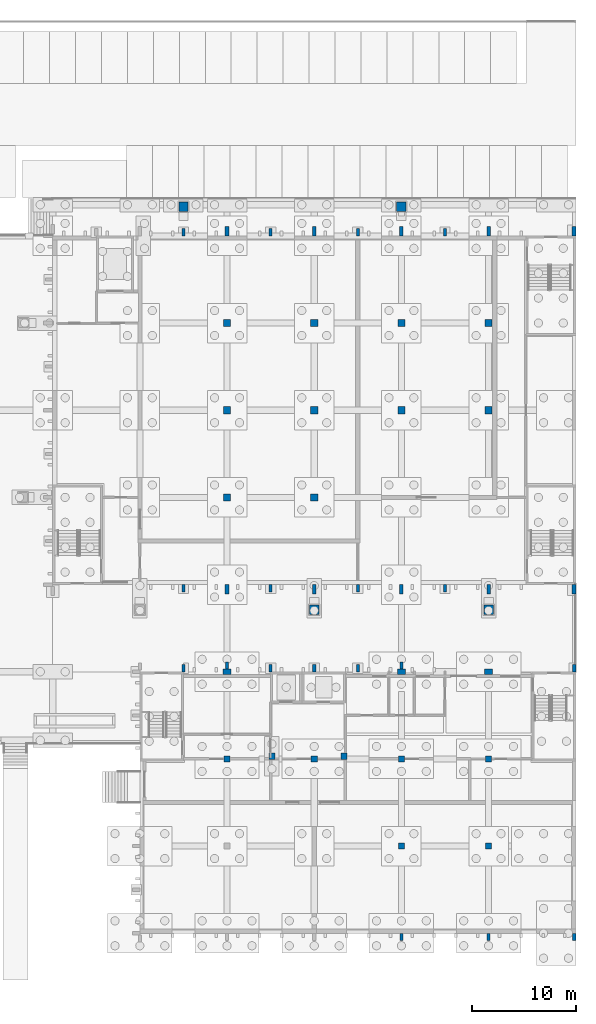
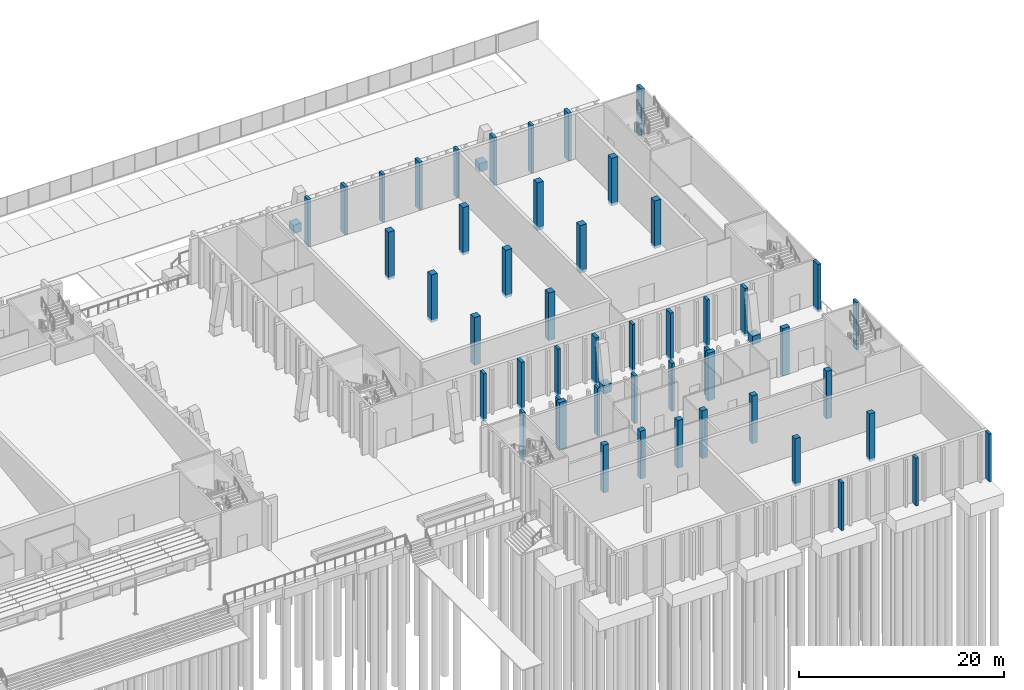
# One storey, part 16 of 129: 53 columns.
"""IFC4 building model written with IfcOpenShell, lengths in metres."""

import ifcopenshell
import ifcopenshell.guid

model = None  # the IFC model being written
_history = None  # IfcOwnerHistory: only IFC2X3 demands one
_inside = {}  # id of a spatial element -> (the spatial element, [elements in it])
_under = {}  # id of a project, library or spatial element -> (it, [spatial elements below it])
_declared = {}  # id of a project -> (the project, [libraries it declares])
_typed = {}  # id of a type object -> (the type object, [elements of that type])
_made_of = {}  # id of a material, layer set ... -> (it, [elements and type objects made of it])


def new_model(schema):
    """Start an empty IFC model of exactly this schema.

    Asked for "IFC4X3", IfcOpenShell would pick the latest addendum, in which some entities
    have other attributes; the version numbers below select the first issue.
    IFC2X3 requires an IfcOwnerHistory on every rooted entity: one is made here for all.
    """
    global model, _history
    if schema == "IFC4X3":
        model = ifcopenshell.file(schema_version=(4, 3, 0, 0))
    else:
        model = ifcopenshell.file(schema=schema)
    _inside.clear()
    _under.clear()
    _declared.clear()
    _typed.clear()
    _made_of.clear()
    _history = None
    if model.schema == "IFC2X3":
        org = make("IfcOrganization", Name="unknown")
        user = make(
            "IfcPersonAndOrganization",
            ThePerson=make("IfcPerson", FamilyName="unknown"),
            TheOrganization=org,
        )
        app = make(
            "IfcApplication",
            ApplicationDeveloper=org,
            Version="unknown",
            ApplicationFullName="unknown",
            ApplicationIdentifier="unknown",
        )
        _history = make(
            "IfcOwnerHistory",
            OwningUser=user,
            OwningApplication=app,
            ChangeAction="ADDED",
            CreationDate=0,
        )
    return model


def make(cls, **values):
    """One entity of the class cls with the attributes given. An attribute that is None is left unset."""
    return model.create_entity(
        cls, **{name: value for name, value in values.items() if value is not None}
    )


def rooted(cls, **values):
    """An entity with a GlobalId (a new one), such as an element, a storey or a relation."""
    return make(cls, GlobalId=ifcopenshell.guid.new(), OwnerHistory=_history, **values)


def si_unit(unit_type, name, prefix=None):
    """IfcSIUnit, for example si_unit("LENGTHUNIT", "METRE", prefix="MILLI")."""
    return make("IfcSIUnit", UnitType=unit_type, Prefix=prefix, Name=name)


def assignment(units):
    """IfcUnitAssignment: the units of a project."""
    return None if units is None else make("IfcUnitAssignment", Units=units)


def point(xyz):
    """IfcCartesianPoint."""
    return None if xyz is None else make("IfcCartesianPoint", Coordinates=xyz)


def direction(xyz):
    """IfcDirection."""
    return None if xyz is None else make("IfcDirection", DirectionRatios=xyz)


def frame(location, z_axis=None, x_axis=None):
    """IfcAxis2Placement3D, a coordinate frame: its origin and axes. An axis left out is left unset."""
    return make(
        "IfcAxis2Placement3D",
        Location=point(location),
        Axis=direction(z_axis),
        RefDirection=direction(x_axis),
    )


def frame_2d(location, x_axis=None):
    """IfcAxis2Placement2D, a coordinate frame in the plane: its origin and x axis."""
    return make(
        "IfcAxis2Placement2D", Location=point(location), RefDirection=direction(x_axis)
    )


def origin():
    """The frame at (0, 0, 0) with its axes left unset."""
    return frame((0.0, 0.0, 0.0))


def origin_2d():
    """The frame at (0, 0) in the plane with its x axis left unset."""
    return frame_2d((0.0, 0.0))


def place(relative_to, where):
    """IfcLocalPlacement: puts the frame where relative to a parent placement (None: the world)."""
    return make(
        "IfcLocalPlacement", PlacementRelTo=relative_to, RelativePlacement=where
    )


def context(
    kind, dimensions, precision=None, world=None, true_north=None, identifier=None
):
    """IfcGeometricRepresentationContext, for example the 3D "Model" context."""
    return make(
        "IfcGeometricRepresentationContext",
        ContextIdentifier=identifier,
        ContextType=kind,
        CoordinateSpaceDimension=dimensions,
        Precision=precision,
        WorldCoordinateSystem=world,
        TrueNorth=true_north,
    )


def subcontext(parent, identifier, kind, view, scale=None):
    """IfcGeometricRepresentationSubContext, for example "Body" below "Model"."""
    return make(
        "IfcGeometricRepresentationSubContext",
        ContextIdentifier=identifier,
        ContextType=kind,
        ParentContext=parent,
        TargetScale=scale,
        TargetView=view,
    )


def project(units=None, contexts=None):
    """IfcProject with its units and contexts."""
    return rooted(
        "IfcProject",
        Name="project",
        RepresentationContexts=contexts,
        UnitsInContext=assignment(units),
    )


def spatial(cls, under=None, at=None, **own):
    """A site, building, storey or space (cls), placed at a placement, below another one or the project."""
    s = rooted(cls, ObjectPlacement=at, **own)
    if under is not None:
        _under.setdefault(under.id(), (under, []))[1].append(s)
    return s


def profile(cls, at=None, kind="AREA", **sizes):
    """A parametric profile (cls). Its sizes go by their IFC names, for example OverallWidth=200.0."""
    return make(cls, ProfileType=kind, Position=at, **sizes)


def rectangle(**sizes):
    """IfcRectangleProfileDef."""
    return profile("IfcRectangleProfileDef", **sizes)


def extrude(swept, where, along, depth):
    """IfcExtrudedAreaSolid: the profile swept, set in the frame where, extruded along a direction by depth."""
    return make(
        "IfcExtrudedAreaSolid",
        SweptArea=swept,
        Position=where,
        ExtrudedDirection=direction(along),
        Depth=depth,
    )


def shape(context_of_items, identifier, shape_type, items):
    """IfcShapeRepresentation: the items that make up one representation, for example the "Body"."""
    return make(
        "IfcShapeRepresentation",
        ContextOfItems=context_of_items,
        RepresentationIdentifier=identifier,
        RepresentationType=shape_type,
        Items=items,
    )


def material(Name=None, Category=None):
    """IfcMaterial."""
    return make("IfcMaterial", Name=Name, Category=Category)


def material_profile(
    of_material, cross_section, Name=None, Category=None, Priority=None
):
    """IfcMaterialProfile: a cross section and its material."""
    return make(
        "IfcMaterialProfile",
        Name=Name,
        Material=of_material,
        Profile=cross_section,
        Priority=Priority,
        Category=Category,
    )


def profile_set(profiles, Name=None, composite=None):
    """IfcMaterialProfileSet."""
    return make(
        "IfcMaterialProfileSet",
        Name=Name,
        MaterialProfiles=profiles,
        CompositeProfile=composite,
    )


def made_of(thing, what):
    """Note that an element or type object is made of a material, layer set ...; save() writes the relation."""
    if what is not None:
        _made_of.setdefault(what.id(), (what, []))[1].append(thing)
    return thing


def type_object(cls, material=None, **own):
    """A type object (cls), such as IfcWallType, which elements share."""
    return made_of(rooted(cls, **own), material)


def element(
    cls,
    number,
    at=None,
    inside=None,
    cuts=None,
    type_object=None,
    material=None,
    context=None,
    identifier="Body",
    shape_type=None,
    held_by="IfcProductDefinitionShape",
    body=None,
    shapes=None,
    **own,
):
    """One element of the class cls, such as IfcWall. Its Tag is "e" and its number.

    at: its placement. inside: the storey or other place that contains it. cuts: it is an
    opening in that element (IfcRelVoidsElement). A single representation is given by context,
    identifier, shape_type and body (its items); several are given by shapes. held_by: the class
    of the entity that holds the representations. save() writes the other relations.
    """
    e = rooted(cls, Tag="e%d" % number, ObjectPlacement=at, **own)
    if body is not None:
        shapes = [shape(context, identifier, shape_type, body)]
    if shapes is not None:
        e.Representation = make(held_by, Representations=shapes)
    if inside is not None:
        _inside.setdefault(inside.id(), (inside, []))[1].append(e)
    if cuts is not None:
        rooted(
            "IfcRelVoidsElement", RelatingBuildingElement=cuts, RelatedOpeningElement=e
        )
    if type_object is not None:
        _typed.setdefault(type_object.id(), (type_object, []))[1].append(e)
    return made_of(e, material)


def aggregate(whole, parts):
    """IfcRelAggregates: a whole, such as a stair, and the parts it consists of."""
    return rooted("IfcRelAggregates", RelatingObject=whole, RelatedObjects=parts)


def save(model, path):
    """Write the relations noted so far, then the file.

    IfcRelAggregates (storeys below a building ...), IfcRelContainedInSpatialStructure (elements
    in a storey), IfcRelDefinesByType, IfcRelAssociatesMaterial and IfcRelDeclares: one each for
    every whole, place, type object, material and project.
    """
    for whole, parts in _under.values():
        aggregate(whole, parts)
    for where, things in _inside.values():
        rooted(
            "IfcRelContainedInSpatialStructure",
            RelatedElements=things,
            RelatingStructure=where,
        )
    for kind, things in _typed.values():
        rooted("IfcRelDefinesByType", RelatedObjects=things, RelatingType=kind)
    for what, things in _made_of.values():
        rooted("IfcRelAssociatesMaterial", RelatedObjects=things, RelatingMaterial=what)
    for by, libraries in _declared.values():
        rooted("IfcRelDeclares", RelatingContext=by, RelatedDefinitions=libraries)
    model.write(path)


model = new_model("IFC4")

# Units and contexts
model_context = context("Model", 3, precision=1e-05, world=origin(), true_north=direction((0.0, 1.0)))
body_context = subcontext(model_context, "Body", "Model", "MODEL_VIEW")
ifc_project = project(units=[si_unit("LENGTHUNIT", "METRE"), si_unit("AREAUNIT", "SQUARE_METRE"), si_unit("VOLUMEUNIT", "CUBIC_METRE"), si_unit("PLANEANGLEUNIT", "RADIAN"), si_unit("MASSUNIT", "GRAM", prefix="KILO")], contexts=[model_context])

# Site, building, storey
site_placement = place(None, origin())
site = spatial("IfcSite", under=ifc_project, at=site_placement, CompositionType="ELEMENT")
building_placement = place(site_placement, origin())
building = spatial("IfcBuilding", under=site, at=building_placement, Name="Kiln Court Media Centre", CompositionType="ELEMENT")
storey_placement = place(building_placement, origin())
storey = spatial("IfcBuildingStorey", under=building, at=storey_placement, Name="L00", CompositionType="ELEMENT", Elevation=0.0)

# Columns
ifc_material_1 = material(Name="Concrete C40/50", Category="concrete")
ifc_material_profile_1 = material_profile(ifc_material_1, rectangle(XDim=0.60009765625, YDim=0.60009765625, at=origin_2d()), Name="RC 600x600")
ifc_profile_set_1 = profile_set([ifc_material_profile_1], Name="Concrete C40/50")
column_type_1 = type_object("IfcColumnType", Name="Concrete C40/50 column 600x600", PredefinedType="COLUMN", material=ifc_profile_set_1)
for number, where, z_axis, x_axis, name in (
    (1, (134.39990234375, 16.800048828125, -0.300048828125), (0.0, 0.0, 1.0), (1.0, 0.0, 0.0), "L00-C-1059"),
    (2, (142.800048828125, 16.800048828125, -0.300048828125), (0.0, 0.0, 1.0), (1.0, 0.0, 0.0), "L00-C-1061"),
    (3, (151.199951171875, 8.39990234375, -0.300048828125), (0.0, 0.0, 1.0), (1.0, 0.0, 0.0), "L00-C-1062"),
    (4, (151.199951171875, 16.800048828125, -0.300048828125), (0.0, 0.0, 1.0), (1.0, 0.0, 0.0), "L00-C-1063"),
    (5, (159.60009765625, 8.39990234375, -0.300048828125), (0.0, 0.0, 1.0), (1.0, 0.0, 0.0), "L00-C-1065"),
    (6, (159.60009765625, 16.800048828125, -0.300048828125), (0.0, 0.0, 1.0), (1.0, 0.0, 0.0), "L00-C-1066"),
    (7, (138.72509765625, 17.050048828125, -0.300048828125), (0.0, 0.0, 1.0), (1.0, 0.0, 0.0), "L00-C-1115"),
    (8, (145.675048828125, 17.050048828125, -0.300048828125), (0.0, 0.0, 1.0), (1.0, 0.0, 0.0), "L00-C-1116"),
):
    element("IfcColumn", number, at=place(storey_placement, frame(where, z_axis=z_axis, x_axis=x_axis)), inside=storey, type_object=column_type_1, Name=name, PredefinedType="COLUMN", context=body_context, shape_type="SweptSolid", body=[
        extrude(rectangle(XDim=0.60009765625, YDim=0.60009765625, at=origin_2d()), origin(), (0.0, 0.0, 1.0), 5.699951171875),
    ])
ifc_material_2 = material(Name="Concrete C40/50", Category="concrete")
ifc_material_profile_2 = material_profile(ifc_material_2, rectangle(XDim=0.699951171875, YDim=0.699951171875, at=origin_2d()), Name="RC 700x700")
ifc_profile_set_2 = profile_set([ifc_material_profile_2], Name="Concrete C40/50")
column_type_2 = type_object("IfcColumnType", Name="Concrete C40/50 column 700x700", PredefinedType="COLUMN", material=ifc_profile_set_2)
for number, where, z_axis, x_axis, name in (
    (9, (134.39990234375, 42.0, -0.300048828125), (0.0, 0.0, 1.0), (1.0, 0.0, 0.0), "L00-C-1048"),
    (10, (134.39990234375, 50.39990234375, -0.300048828125), (0.0, 0.0, 1.0), (1.0, 0.0, 0.0), "L00-C-1049"),
    (11, (134.39990234375, 58.800048828125, -0.300048828125), (0.0, 0.0, 1.0), (1.0, 0.0, 0.0), "L00-C-1050"),
    (12, (142.800048828125, 42.0, -0.300048828125), (0.0, 0.0, 1.0), (1.0, 0.0, 0.0), "L00-C-1051"),
    (13, (142.800048828125, 50.39990234375, -0.300048828125), (0.0, 0.0, 1.0), (1.0, 0.0, 0.0), "L00-C-1052"),
    (14, (142.800048828125, 58.800048828125, -0.300048828125), (0.0, 0.0, 1.0), (1.0, 0.0, 0.0), "L00-C-1053"),
    (15, (151.199951171875, 50.39990234375, -0.300048828125), (0.0, 0.0, 1.0), (1.0, 0.0, 0.0), "L00-C-1054"),
    (16, (151.199951171875, 58.800048828125, -0.300048828125), (0.0, 0.0, 1.0), (1.0, 0.0, 0.0), "L00-C-1055"),
    (17, (159.60009765625, 50.39990234375, -0.300048828125), (0.0, 0.0, 1.0), (1.0, 0.0, 0.0), "L00-C-1056"),
    (18, (159.60009765625, 58.800048828125, -0.300048828125), (0.0, 0.0, 1.0), (1.0, 0.0, 0.0), "L00-C-1057"),
):
    element("IfcColumn", number, at=place(storey_placement, frame(where, z_axis=z_axis, x_axis=x_axis)), inside=storey, type_object=column_type_2, Name=name, PredefinedType="COLUMN", context=body_context, shape_type="SweptSolid", body=[
        extrude(rectangle(XDim=0.699951171875, YDim=0.699951171875, at=origin_2d()), origin(), (0.0, 0.0, 1.0), 5.699951171875),
    ])
ifc_material_3 = material(Name="Concrete C40/50", Category="concrete")
ifc_material_profile_3 = material_profile(ifc_material_3, rectangle(XDim=0.800048828125, YDim=0.5, at=origin_2d()), Name="RC 800x500")
ifc_profile_set_3 = profile_set([ifc_material_profile_3], Name="Concrete C40/50")
column_type_3 = type_object("IfcColumnType", Name="Concrete C40/50 column 800x500", PredefinedType="COLUMN", material=ifc_profile_set_3)
for number, where, z_axis, x_axis, name in (
    (19, (134.39990234375, 25.199951171875, -0.300048828125), (0.0, 0.0, 1.0), (1.0, 0.0, 0.0), "L00-C-1060"),
    (20, (151.199951171875, 25.199951171875, -0.300048828125), (0.0, 0.0, 1.0), (1.0, 0.0, 0.0), "L00-C-1064"),
    (21, (159.60009765625, 25.199951171875, -0.300048828125), (0.0, 0.0, 1.0), (1.0, 0.0, 0.0), "L00-C-1067"),
):
    element("IfcColumn", number, at=place(storey_placement, frame(where, z_axis=z_axis, x_axis=x_axis)), inside=storey, type_object=column_type_3, Name=name, PredefinedType="COLUMN", context=body_context, shape_type="SweptSolid", body=[
        extrude(rectangle(XDim=0.800048828125, YDim=0.5, at=origin_2d()), origin(), (0.0, 0.0, 1.0), 5.699951171875),
    ])
ifc_material_4 = material(Name="Concrete C40/50", Category="concrete")
ifc_material_profile_4 = material_profile(ifc_material_4, rectangle(XDim=0.89990234375, YDim=0.89990234375, at=origin_2d()), Name="RC 900x900")
ifc_profile_set_4 = profile_set([ifc_material_profile_4], Name="Concrete C40/50")
column_type_4 = type_object("IfcColumnType", Name="Concrete C40/50 column 900x900", PredefinedType="COLUMN", material=ifc_profile_set_4)
for number, where, z_axis, x_axis, name in (
    (22, (142.800048828125, 31.17333984375, 0.0), (0.0, 0.0, 1.0), (1.0, 0.0, 0.0), "L00-C-1088"),
    (23, (159.60009765625, 31.17333984375, 0.0), (0.0, 0.0, 1.0), (1.0, 0.0, 0.0), "L00-C-1089"),
    (24, (130.199951171875, 70.0, 0.0), (0.0, 0.0, 1.0), (1.0, 0.0, 0.0), "L00-C-1090"),
    (25, (151.199951171875, 70.0, 0.0), (0.0, 0.0, 1.0), (1.0, 0.0, 0.0), "L00-C-1091"),
):
    element("IfcColumn", number, at=place(storey_placement, frame(where, z_axis=z_axis, x_axis=x_axis)), inside=storey, type_object=column_type_4, Name=name, PredefinedType="COLUMN", context=body_context, shape_type="SweptSolid", body=[
        extrude(rectangle(XDim=0.89990234375, YDim=0.89990234375, at=origin_2d()), origin(), (0.0, 0.0, 1.0), 1.0),
    ])
ifc_material_5 = material(Name="Concrete C40/50", Category="concrete")
ifc_material_profile_5 = material_profile(ifc_material_5, rectangle(XDim=0.300048828125, YDim=0.699951171875, at=origin_2d()), Name="RC 300x700")
ifc_profile_set_5 = profile_set([ifc_material_profile_5], Name="Concrete C40/50")
column_type_5 = type_object("IfcColumnType", Name="Concrete C40/50 pilaster rib 300x700", PredefinedType="PILASTER", material=ifc_profile_set_5)
for number, where, z_axis, x_axis, name in (
    (26, (130.199951171875, 33.25, -0.300048828125), (0.0, 0.0, 1.0), (1.0, 0.0, 0.0), "V2 S rib L00"),
    (27, (138.60009765625, 33.25, -0.300048828125), (0.0, 0.0, 1.0), (1.0, 0.0, 0.0), "V2 S rib L00"),
    (28, (147.0, 33.25, -0.300048828125), (0.0, 0.0, 1.0), (1.0, 0.0, 0.0), "V2 S rib L00"),
    (29, (155.39990234375, 33.25, -0.300048828125), (0.0, 0.0, 1.0), (1.0, 0.0, 0.0), "V2 S rib L00"),
    (30, (130.199951171875, 67.550048828125, -0.300048828125), (0.0, 0.0, 1.0), (1.0, 0.0, 0.0), "V2 N rib L00"),
    (31, (138.60009765625, 67.550048828125, -0.300048828125), (0.0, 0.0, 1.0), (1.0, 0.0, 0.0), "V2 N rib L00"),
    (32, (147.0, 67.550048828125, -0.300048828125), (0.0, 0.0, 1.0), (1.0, 0.0, 0.0), "V2 N rib L00"),
    (33, (155.39990234375, 67.550048828125, -0.300048828125), (0.0, 0.0, 1.0), (1.0, 0.0, 0.0), "V2 N rib L00"),
    (34, (151.199951171875, -0.35009765625, -0.300048828125), (0.0, 0.0, 1.0), (1.0, 0.0, 0.0), "V5 S rib L00"),
    (35, (159.60009765625, -0.35009765625, -0.300048828125), (0.0, 0.0, 1.0), (1.0, 0.0, 0.0), "V5 S rib L00"),
    (36, (167.849853515625, -0.35009765625, -0.300048828125), (0.0, 0.0, 1.0), (1.0, 0.0, 0.0), "V5 S rib L00"),
    (37, (130.199951171875, 25.550048828125, -0.300048828125), (0.0, 0.0, 1.0), (1.0, 0.0, 0.0), "V5 N rib L00"),
    (38, (134.39990234375, 25.800048828125, -0.300048828125), (0.0, 0.0, 1.0), (1.0, 0.0, 0.0), "V5 N rib L00"),
    (39, (138.60009765625, 25.550048828125, -0.300048828125), (0.0, 0.0, 1.0), (1.0, 0.0, 0.0), "V5 N rib L00"),
    (40, (142.800048828125, 25.550048828125, -0.300048828125), (0.0, 0.0, 1.0), (1.0, 0.0, 0.0), "V5 N rib L00"),
    (41, (147.0, 25.550048828125, -0.300048828125), (0.0, 0.0, 1.0), (1.0, 0.0, 0.0), "V5 N rib L00"),
    (42, (151.199951171875, 25.800048828125, -0.300048828125), (0.0, 0.0, 1.0), (1.0, 0.0, 0.0), "V5 N rib L00"),
    (43, (167.849853515625, 25.550048828125, -0.300048828125), (0.0, 0.0, 1.0), (1.0, 0.0, 0.0), "V5 N rib L00"),
):
    element("IfcColumn", number, at=place(storey_placement, frame(where, z_axis=z_axis, x_axis=x_axis)), inside=storey, type_object=column_type_5, Name=name, PredefinedType="PILASTER", context=body_context, shape_type="SweptSolid", body=[
        extrude(rectangle(XDim=0.300048828125, YDim=0.699951171875, at=origin_2d()), origin(), (0.0, 0.0, 1.0), 5.699951171875),
    ])
ifc_material_6 = material(Name="Concrete C40/50", Category="concrete")
ifc_material_profile_6 = material_profile(ifc_material_6, rectangle(XDim=0.35009765625, YDim=0.89990234375, at=origin_2d()), Name="RC 350x900")
ifc_profile_set_6 = profile_set([ifc_material_profile_6], Name="Concrete C40/50")
column_type_6 = type_object("IfcColumnType", Name="Concrete C40/50 pilaster rib 350x900", PredefinedType="PILASTER", material=ifc_profile_set_6)
for number, where, z_axis, x_axis, name in (
    (44, (134.39990234375, 33.14990234375, -0.300048828125), (0.0, 0.0, 1.0), (1.0, 0.0, 0.0), "V2 S rib L00"),
    (45, (142.800048828125, 33.14990234375, -0.300048828125), (0.0, 0.0, 1.0), (1.0, 0.0, 0.0), "V2 S rib L00"),
    (46, (151.199951171875, 33.14990234375, -0.300048828125), (0.0, 0.0, 1.0), (1.0, 0.0, 0.0), "V2 S rib L00"),
    (47, (159.60009765625, 33.14990234375, -0.300048828125), (0.0, 0.0, 1.0), (1.0, 0.0, 0.0), "V2 S rib L00"),
    (48, (167.824951171875, 33.14990234375, -0.300048828125), (0.0, 0.0, 1.0), (1.0, 0.0, 0.0), "V2 S rib L00"),
    (49, (134.39990234375, 67.64990234375, -0.300048828125), (0.0, 0.0, 1.0), (1.0, 0.0, 0.0), "V2 N rib L00"),
    (50, (142.800048828125, 67.64990234375, -0.300048828125), (0.0, 0.0, 1.0), (1.0, 0.0, 0.0), "V2 N rib L00"),
    (51, (151.199951171875, 67.64990234375, -0.300048828125), (0.0, 0.0, 1.0), (1.0, 0.0, 0.0), "V2 N rib L00"),
    (52, (159.60009765625, 67.64990234375, -0.300048828125), (0.0, 0.0, 1.0), (1.0, 0.0, 0.0), "V2 N rib L00"),
    (53, (167.824951171875, 67.64990234375, -0.300048828125), (0.0, 0.0, 1.0), (1.0, 0.0, 0.0), "V2 N rib L00"),
):
    element("IfcColumn", number, at=place(storey_placement, frame(where, z_axis=z_axis, x_axis=x_axis)), inside=storey, type_object=column_type_6, Name=name, PredefinedType="PILASTER", context=body_context, shape_type="SweptSolid", body=[
        extrude(rectangle(XDim=0.35009765625, YDim=0.89990234375, at=origin_2d()), origin(), (0.0, 0.0, 1.0), 5.699951171875),
    ])

save(model, "model.ifc")
